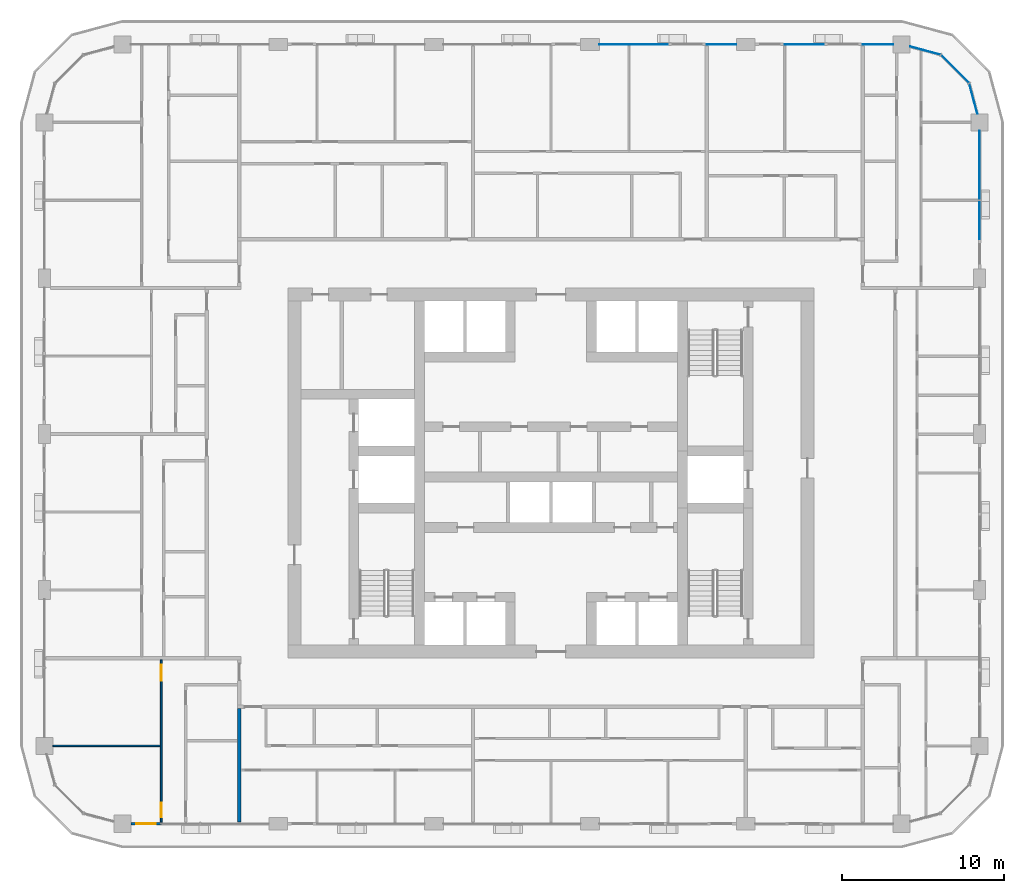
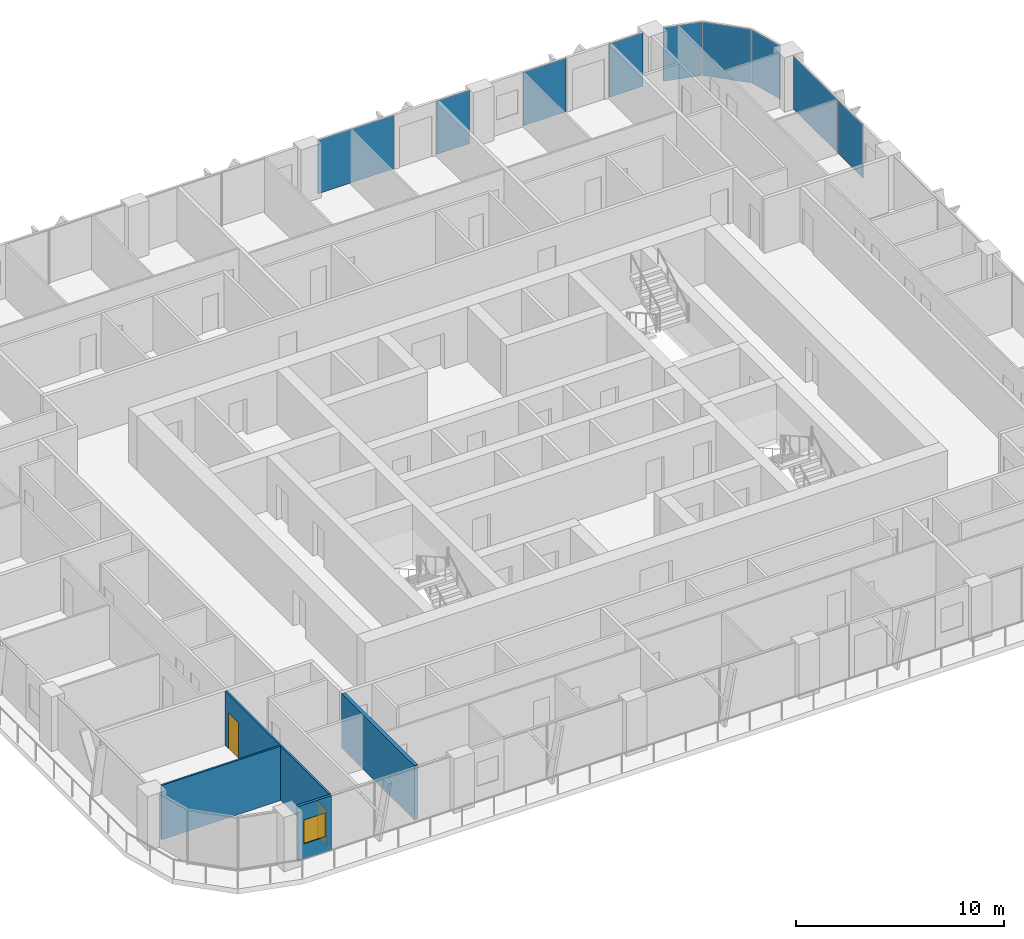
# One storey, part 8 of 22: 9 plates, 4 walls, 2 doors, 1 window, 3 openings, 4 elements without a shape of their own.
"""IFC4 building model written with IfcOpenShell, lengths in metres."""

from ifc_helpers import new_model, si_unit, direction, frame, frame_2d, origin, origin_2d, place, context, subcontext, project, spatial, rectangle, extrude, material, layer, layer_set, type_object, element, fill, aggregate, save


model = new_model("IFC4")

# Units and contexts
model_context = context("Model", 3, precision=1e-05, world=origin(), true_north=direction((0.0, 1.0)))
body_context = subcontext(model_context, "Body", "Model", "MODEL_VIEW")
ifc_project = project(units=[si_unit("LENGTHUNIT", "METRE"), si_unit("AREAUNIT", "SQUARE_METRE"), si_unit("VOLUMEUNIT", "CUBIC_METRE"), si_unit("PLANEANGLEUNIT", "RADIAN"), si_unit("MASSUNIT", "GRAM", prefix="KILO")], contexts=[model_context])

# Site, building, storey
site_placement = place(None, origin())
site = spatial("IfcSite", under=ifc_project, at=site_placement, CompositionType="ELEMENT")
building_placement = place(site_placement, origin())
building = spatial("IfcBuilding", under=site, at=building_placement, Name="Madar Terraces", CompositionType="ELEMENT")
storey_placement = place(building_placement, frame((0.0, 0.0, 126.10009765625)))
storey = spatial("IfcBuildingStorey", under=building, at=storey_placement, Name="L32", CompositionType="ELEMENT", Elevation=126.10009765625)

# Curtain wall, plates
ifc_material_1 = material(Name="Glass, ceramic frit dark grey, with black aluminium frame", Category="aluminium")
ifc_layer_1 = layer(ifc_material_1, 0.199951171875)
ifc_layer_set_1 = layer_set([ifc_layer_1], Name="Facade curtain wall, fritted glass")
curtain_wall_type = type_object("IfcCurtainWallType", Name="Facade curtain wall, fritted glass", PredefinedType="NOTDEFINED", material=ifc_layer_set_1)
curtain_wall_1_placement = place(storey_placement, origin())
curtain_wall_1 = element("IfcCurtainWall", 1, at=curtain_wall_1_placement, inside=storey, type_object=curtain_wall_type, Name="Outer skin curtain wall east bay 4", PredefinedType="NOTDEFINED")
ifc_material_2 = material(Name="Glass, ceramic frit dark grey", Category="glass")
ifc_layer_2 = layer(ifc_material_2, 0.028076171875)
ifc_layer_set_2 = layer_set([ifc_layer_2], Name="Facade glass panel 28")
plate_type = type_object("IfcPlateType", Name="Facade glass panel 28", PredefinedType="CURTAIN_PANEL", material=ifc_layer_set_2)
plate_1_placement = place(storey_placement, frame((57.60009765625, 41.985107421875, 0.0), z_axis=(0.0, 0.0, 1.0), x_axis=(0.0, 1.0, 0.0)))
plate_1 = element("IfcPlate", 2, at=plate_1_placement, type_object=plate_type, Name="Panel 1", PredefinedType="CURTAIN_PANEL", context=body_context, shape_type="SweptSolid", body=[
    extrude(rectangle(XDim=2.3701171875, YDim=0.028076171875, at=origin_2d()), origin(), (0.0, 0.0, 1.0), 3.139892578125),
])
plate_2_placement = place(storey_placement, frame((57.60009765625, 45.3525390625, 0.0), z_axis=(0.0, 0.0, 1.0), x_axis=(0.0, 1.0, 0.0)))
plate_2 = element("IfcPlate", 3, at=plate_2_placement, type_object=plate_type, Name="Panel 2", PredefinedType="CURTAIN_PANEL", context=body_context, shape_type="SweptSolid", body=[
    extrude(rectangle(XDim=4.2451171875, YDim=0.028076171875, at=origin_2d()), origin(), (0.0, 0.0, 1.0), 3.139892578125),
])
aggregate(curtain_wall_1, [plate_1, plate_2])

curtain_wall_2_placement = place(storey_placement, origin())
curtain_wall_2 = element("IfcCurtainWall", 4, at=curtain_wall_2_placement, inside=storey, type_object=curtain_wall_type, Name="Outer skin curtain wall north bay 1", PredefinedType="NOTDEFINED")
plate_3_placement = place(storey_placement, frame((51.33740234375, 52.800048828125, 0.0), z_axis=(0.0, 0.0, 1.0), x_axis=(-1.0, 0.0, 0.0)))
plate_3 = element("IfcPlate", 5, at=plate_3_placement, type_object=plate_type, Name="Panel 1", PredefinedType="CURTAIN_PANEL", context=body_context, shape_type="SweptSolid", body=[
    extrude(rectangle(XDim=1.875, YDim=0.028076171875, at=origin_2d()), origin(), (0.0, 0.0, 1.0), 3.139892578125),
])
plate_4_placement = place(storey_placement, frame((46.800048828125, 52.800048828125, 0.0), z_axis=(0.0, 0.0, 1.0), x_axis=(-1.0, 0.0, 0.0)))
plate_4 = element("IfcPlate", 6, at=plate_4_placement, type_object=plate_type, Name="Panel 2", PredefinedType="CURTAIN_PANEL", context=body_context, shape_type="SweptSolid", body=[
    extrude(rectangle(XDim=2.39990234375, YDim=0.028076171875, at=origin_2d()), origin(), (0.0, 0.0, 1.0), 3.139892578125),
])
aggregate(curtain_wall_2, [plate_3, plate_4])

curtain_wall_3_placement = place(storey_placement, origin())
curtain_wall_3 = element("IfcCurtainWall", 7, at=curtain_wall_3_placement, inside=storey, type_object=curtain_wall_type, Name="Outer skin curtain wall north bay 2", PredefinedType="NOTDEFINED")
plate_5_placement = place(storey_placement, frame((41.71240234375, 52.800048828125, 0.0), z_axis=(0.0, 0.0, 1.0), x_axis=(-1.0, 0.0, 0.0)))
plate_5 = element("IfcPlate", 8, at=plate_5_placement, type_object=plate_type, Name="Panel 1", PredefinedType="CURTAIN_PANEL", context=body_context, shape_type="SweptSolid", body=[
    extrude(rectangle(XDim=1.824951171875, YDim=0.028076171875, at=origin_2d()), origin(), (0.0, 0.0, 1.0), 3.139892578125),
])
plate_6_placement = place(storey_placement, frame((36.28759765625, 52.800048828125, 0.0), z_axis=(0.0, 0.0, 1.0), x_axis=(-1.0, 0.0, 0.0)))
plate_6 = element("IfcPlate", 9, at=plate_6_placement, type_object=plate_type, Name="Panel 2", PredefinedType="CURTAIN_PANEL", context=body_context, shape_type="SweptSolid", body=[
    extrude(rectangle(XDim=4.22509765625, YDim=0.028076171875, at=origin_2d()), origin(), (0.0, 0.0, 1.0), 3.139892578125),
])
aggregate(curtain_wall_3, [plate_5, plate_6])

curtain_wall_4_placement = place(storey_placement, origin())
curtain_wall_4 = element("IfcCurtainWall", 10, at=curtain_wall_4_placement, inside=storey, type_object=curtain_wall_type, Name="Outer skin curtain wall north-east corner", PredefinedType="NOTDEFINED")
plate_7_placement = place(storey_placement, frame((57.2119140625, 49.447998046875, 0.0), z_axis=(0.0, 0.0, 1.0), x_axis=(-0.258819021888, 0.965925832509, 0.0)))
plate_7 = element("IfcPlate", 11, at=plate_7_placement, type_object=plate_type, Name="Panel 1", PredefinedType="CURTAIN_PANEL", context=body_context, shape_type="SweptSolid", body=[
    extrude(rectangle(XDim=1.9111328125, YDim=0.028076171875, at=origin_2d()), origin(), (0.0, 0.0, 1.0), 3.139892578125),
])
plate_8_placement = place(storey_placement, frame((56.078369140625, 51.278564453125, 0.0), z_axis=(0.0, 0.0, 1.0), x_axis=(-0.707106781187, 0.707106781187, 0.0)))
plate_8 = element("IfcPlate", 12, at=plate_8_placement, type_object=plate_type, Name="Panel 2", PredefinedType="CURTAIN_PANEL", context=body_context, shape_type="SweptSolid", body=[
    extrude(rectangle(XDim=2.424560546875, YDim=0.028076171875, at=origin_2d()), origin(), (0.0, 0.0, 1.0), 3.139892578125),
])
plate_9_placement = place(storey_placement, frame((54.248046875, 52.412109375, 0.0), z_axis=(0.0, 0.0, 1.0), x_axis=(-0.965925832509, 0.258819021888, 0.0)))
plate_9 = element("IfcPlate", 13, at=plate_9_placement, type_object=plate_type, Name="Panel 3", PredefinedType="CURTAIN_PANEL", context=body_context, shape_type="SweptSolid", body=[
    extrude(rectangle(XDim=1.9111328125, YDim=0.028076171875, at=origin_2d()), origin(), (0.0, 0.0, 1.0), 3.139892578125),
])
aggregate(curtain_wall_4, [plate_7, plate_8, plate_9])

# Wall, opening, window
ifc_material_3 = material(Name="Aluminium composite panel, black, over insulated backing", Category="aluminium")
ifc_layer_3 = layer(ifc_material_3, 0.14990234375)
ifc_layer_set_3 = layer_set([ifc_layer_3], Name="Facade bay panel 150")
wall_type_1 = type_object("IfcWallType", Name="Facade bay panel 150", PredefinedType="SOLIDWALL", material=ifc_layer_set_3)
wall_1_placement = place(storey_placement, frame((5.324951171875, 4.800048828125, 0.0), z_axis=(0.0, 0.0, 1.0), x_axis=(1.0, 0.0, 0.0)))
wall_1 = element("IfcWall", 14, at=wall_1_placement, inside=storey, type_object=wall_type_1, Name="Facade bay panel", PredefinedType="SOLIDWALL", context=body_context, shape_type="SweptSolid", body=[
    extrude(rectangle(XDim=1.875, YDim=0.14990234375, at=frame_2d((0.9375, 0.0))), origin(), (0.0, 0.0, 1.0), 3.199951171875),
])
opening_1_placement = place(wall_1_placement, frame((0.33740234375, 0.0, 0.89990234375)))
opening_1 = element("IfcOpeningElement", 15, at=opening_1_placement, cuts=wall_1, Name="Opening W1", PredefinedType="OPENING", context=body_context, shape_type="SweptSolid", body=[
    extrude(rectangle(XDim=1.199951171875, YDim=1.39990234375, at=frame_2d((0.60009765625, 0.699951171875))), frame((0.0, 0.0849609375, 0.0), z_axis=(0.0, -1.0, 0.0), x_axis=(1.0, 0.0, 0.0)), (0.0, 0.0, 1.0), 0.169921875),
])
ifc_material_4 = material(Name="Glass, clear, with black aluminium frame", Category="aluminium")
window_type = type_object("IfcWindowType", Name="Vent window 1200 x 1400", PartitioningType="SINGLE_PANEL", PredefinedType="WINDOW", material=ifc_material_4)
window_placement = place(opening_1_placement, origin())
window = element("IfcWindow", 16, at=window_placement, inside=storey, type_object=window_type, Name="Operable vent window", OverallHeight=1.39990234375, OverallWidth=1.199951171875, PartitioningType="SINGLE_PANEL", PredefinedType="WINDOW", context=body_context, shape_type="SweptSolid", body=[
    extrude(rectangle(XDim=1.199951171875, YDim=1.39990234375, at=frame_2d((0.60009765625, 0.699951171875))), frame((0.0, 0.030029296875, 0.0), z_axis=(0.0, -1.0, 0.0), x_axis=(1.0, 0.0, 0.0)), (0.0, 0.0, 1.0), 0.06005859375),
])
fill(opening_1, window)

# Wall
ifc_material_5 = material(Name="Gypsum board on steel studs", Category="steel")
ifc_layer_4 = layer(ifc_material_5, 0.10009765625)
ifc_layer_set_4 = layer_set([ifc_layer_4], Name="Flat partition 100")
wall_type_2 = type_object("IfcWallType", Name="Flat partition 100", PredefinedType="PARTITIONING", material=ifc_layer_set_4)
wall_2_placement = place(storey_placement, frame((7.14990234375, 9.60009765625, 0.0), z_axis=(0.0, 0.0, 1.0), x_axis=(-1.0, 0.0, 0.0)))
element("IfcWall", 17, at=wall_2_placement, inside=storey, type_object=wall_type_2, Name="Flat partition 100", PredefinedType="PARTITIONING", context=body_context, shape_type="SweptSolid", body=[
    extrude(rectangle(XDim=6.625, YDim=0.10009765625, at=frame_2d((3.3125, 0.0))), origin(), (0.0, 0.0, 1.0), 3.199951171875),
])

# Wall, openings, doors
wall_3_placement = place(storey_placement, frame((7.199951171875, 4.89990234375, 0.0), z_axis=(0.0, 0.0, 1.0), x_axis=(0.0, 1.0, 0.0)))
wall_3 = element("IfcWall", 18, at=wall_3_placement, inside=storey, type_object=wall_type_2, Name="Flat partition 100", PredefinedType="PARTITIONING", context=body_context, shape_type="SweptSolid", body=[
    extrude(rectangle(XDim=10.0, YDim=0.10009765625, at=frame_2d((5.0, 0.0))), origin(), (0.0, 0.0, 1.0), 3.199951171875),
])
opening_2_placement = place(wall_3_placement, frame((8.699951171875, 0.0, 0.0)))
opening_2 = element("IfcOpeningElement", 19, at=opening_2_placement, cuts=wall_3, Name="Opening D3", PredefinedType="OPENING", context=body_context, shape_type="SweptSolid", body=[
    extrude(rectangle(XDim=1.0, YDim=2.10009765625, at=frame_2d((0.5, 1.050048828125))), frame((0.0, 0.06005859375, 0.0), z_axis=(0.0, -1.0, 0.0), x_axis=(1.0, 0.0, 0.0)), (0.0, 0.0, 1.0), 0.1201171875),
])
opening_3_placement = place(wall_3_placement, frame((0.300048828125, 0.0, 0.0)))
opening_3 = element("IfcOpeningElement", 20, at=opening_3_placement, cuts=wall_3, Name="Opening D2", PredefinedType="OPENING", context=body_context, shape_type="SweptSolid", body=[
    extrude(rectangle(XDim=0.89990234375, YDim=2.10009765625, at=frame_2d((0.449951171875, 1.050048828125))), frame((0.0, 0.06005859375, 0.0), z_axis=(0.0, -1.0, 0.0), x_axis=(1.0, 0.0, 0.0)), (0.0, 0.0, 1.0), 0.1201171875),
])
ifc_material_6 = material(Name="Timber door leaf", Category="wood")
door_type_1 = type_object("IfcDoorType", Name="Flat living room door 1000", OperationType="NOTDEFINED", PredefinedType="DOOR", material=ifc_material_6)
door_1_placement = place(opening_2_placement, origin())
door_1 = element("IfcDoor", 21, at=door_1_placement, inside=storey, type_object=door_type_1, Name="Flat living room door 1000", OperationType="SINGLE_SWING_RIGHT", OverallHeight=2.10009765625, OverallWidth=1.0, PredefinedType="DOOR", context=body_context, shape_type="SweptSolid", body=[
    extrude(rectangle(XDim=1.0, YDim=2.10009765625, at=frame_2d((0.5, 1.050048828125))), frame((0.0, 0.02490234375, 0.0), z_axis=(0.0, -1.0, 0.0), x_axis=(1.0, 0.0, 0.0)), (0.0, 0.0, 1.0), 0.050048828125),
])
fill(opening_2, door_1)
ifc_material_7 = material(Name="Timber door leaf", Category="wood")
door_type_2 = type_object("IfcDoorType", Name="Flat room door 900", OperationType="NOTDEFINED", PredefinedType="DOOR", material=ifc_material_7)
door_2_placement = place(opening_3_placement, origin())
door_2 = element("IfcDoor", 22, at=door_2_placement, inside=storey, type_object=door_type_2, Name="Flat room door 900", OperationType="SINGLE_SWING_LEFT", OverallHeight=2.10009765625, OverallWidth=0.89990234375, PredefinedType="DOOR", context=body_context, shape_type="SweptSolid", body=[
    extrude(rectangle(XDim=0.89990234375, YDim=2.10009765625, at=frame_2d((0.449951171875, 1.050048828125))), frame((0.0, 0.02490234375, 0.0), z_axis=(0.0, -1.0, 0.0), x_axis=(1.0, 0.0, 0.0)), (0.0, 0.0, 1.0), 0.050048828125),
])
fill(opening_3, door_2)

# Wall
ifc_material_8 = material(Name="Lightweight blockwork", Category="masonry")
ifc_layer_5 = layer(ifc_material_8, 0.199951171875)
ifc_layer_set_5 = layer_set([ifc_layer_5], Name="Flat party and entrance wall 200")
wall_type_3 = type_object("IfcWallType", Name="Flat party and entrance wall 200", PredefinedType="PARTITIONING", material=ifc_layer_set_5)
wall_4_placement = place(storey_placement, frame((12.0, 4.89990234375, 0.0), z_axis=(0.0, 0.0, 1.0), x_axis=(0.0, 1.0, 0.0)))
element("IfcWall", 23, at=wall_4_placement, inside=storey, type_object=wall_type_3, Name="Flat party and entrance wall 200", PredefinedType="PARTITIONING", context=body_context, shape_type="SweptSolid", body=[
    extrude(rectangle(XDim=7.0, YDim=0.199951171875, at=frame_2d((3.5, 0.0))), origin(), (0.0, 0.0, 1.0), 3.199951171875),
])

save(model, "model.ifc")
